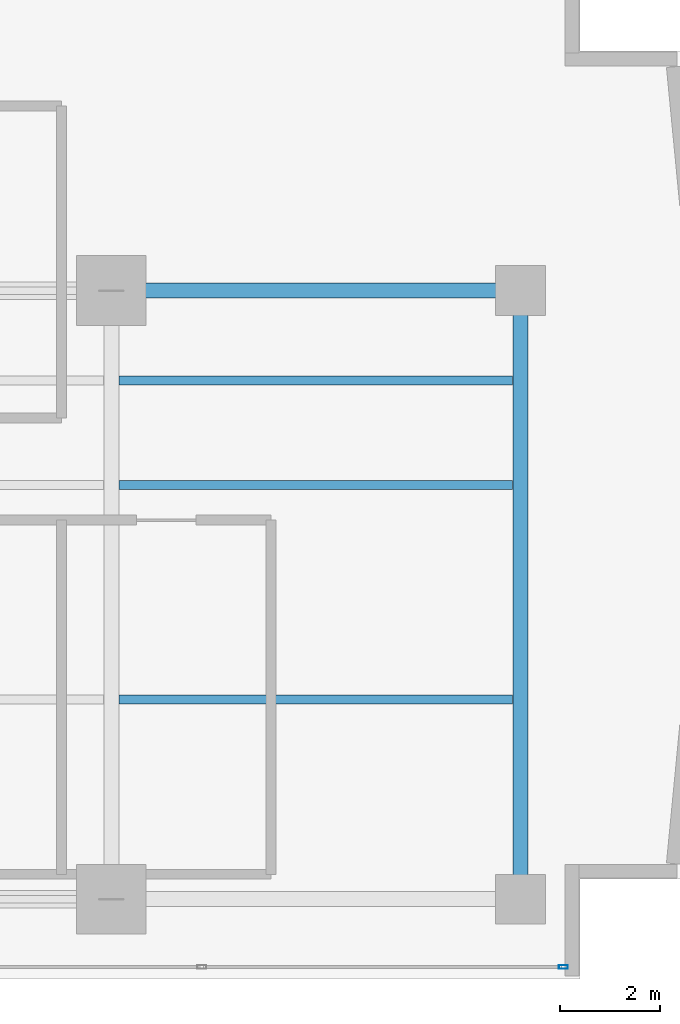
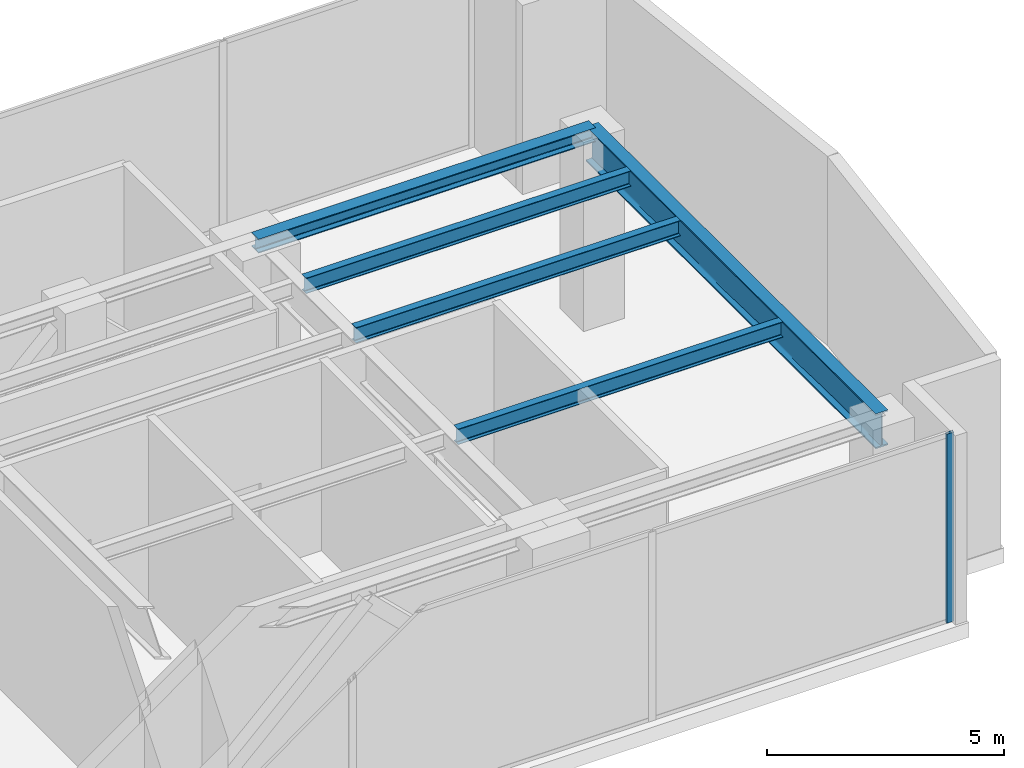
# One storey, part 17 of 37: 5 beams, 1 member, 1 element without a shape of its own.
"""IFC4 building model written with IfcOpenShell, lengths in metres."""

import ifcopenshell
import ifcopenshell.guid

model = None  # the IFC model being written
_history = None  # IfcOwnerHistory: only IFC2X3 demands one
_inside = {}  # id of a spatial element -> (the spatial element, [elements in it])
_under = {}  # id of a project, library or spatial element -> (it, [spatial elements below it])
_declared = {}  # id of a project -> (the project, [libraries it declares])
_typed = {}  # id of a type object -> (the type object, [elements of that type])
_made_of = {}  # id of a material, layer set ... -> (it, [elements and type objects made of it])


def new_model(schema):
    """Start an empty IFC model of exactly this schema.

    Asked for "IFC4X3", IfcOpenShell would pick the latest addendum, in which some entities
    have other attributes; the version numbers below select the first issue.
    IFC2X3 requires an IfcOwnerHistory on every rooted entity: one is made here for all.
    """
    global model, _history
    if schema == "IFC4X3":
        model = ifcopenshell.file(schema_version=(4, 3, 0, 0))
    else:
        model = ifcopenshell.file(schema=schema)
    _inside.clear()
    _under.clear()
    _declared.clear()
    _typed.clear()
    _made_of.clear()
    _history = None
    if model.schema == "IFC2X3":
        org = make("IfcOrganization", Name="unknown")
        user = make(
            "IfcPersonAndOrganization",
            ThePerson=make("IfcPerson", FamilyName="unknown"),
            TheOrganization=org,
        )
        app = make(
            "IfcApplication",
            ApplicationDeveloper=org,
            Version="unknown",
            ApplicationFullName="unknown",
            ApplicationIdentifier="unknown",
        )
        _history = make(
            "IfcOwnerHistory",
            OwningUser=user,
            OwningApplication=app,
            ChangeAction="ADDED",
            CreationDate=0,
        )
    return model


def make(cls, **values):
    """One entity of the class cls with the attributes given. An attribute that is None is left unset."""
    return model.create_entity(
        cls, **{name: value for name, value in values.items() if value is not None}
    )


def rooted(cls, **values):
    """An entity with a GlobalId (a new one), such as an element, a storey or a relation."""
    return make(cls, GlobalId=ifcopenshell.guid.new(), OwnerHistory=_history, **values)


def si_unit(unit_type, name, prefix=None):
    """IfcSIUnit, for example si_unit("LENGTHUNIT", "METRE", prefix="MILLI")."""
    return make("IfcSIUnit", UnitType=unit_type, Prefix=prefix, Name=name)


def assignment(units):
    """IfcUnitAssignment: the units of a project."""
    return None if units is None else make("IfcUnitAssignment", Units=units)


def point(xyz):
    """IfcCartesianPoint."""
    return None if xyz is None else make("IfcCartesianPoint", Coordinates=xyz)


def direction(xyz):
    """IfcDirection."""
    return None if xyz is None else make("IfcDirection", DirectionRatios=xyz)


def frame(location, z_axis=None, x_axis=None):
    """IfcAxis2Placement3D, a coordinate frame: its origin and axes. An axis left out is left unset."""
    return make(
        "IfcAxis2Placement3D",
        Location=point(location),
        Axis=direction(z_axis),
        RefDirection=direction(x_axis),
    )


def frame_2d(location, x_axis=None):
    """IfcAxis2Placement2D, a coordinate frame in the plane: its origin and x axis."""
    return make(
        "IfcAxis2Placement2D", Location=point(location), RefDirection=direction(x_axis)
    )


def origin():
    """The frame at (0, 0, 0) with its axes left unset."""
    return frame((0.0, 0.0, 0.0))


def origin_with_axes():
    """The frame at (0, 0, 0) with the z axis (0, 0, 1) and the x axis (1, 0, 0) written out."""
    return frame((0.0, 0.0, 0.0), z_axis=(0.0, 0.0, 1.0), x_axis=(1.0, 0.0, 0.0))


def origin_2d():
    """The frame at (0, 0) in the plane with its x axis left unset."""
    return frame_2d((0.0, 0.0))


def place(relative_to, where):
    """IfcLocalPlacement: puts the frame where relative to a parent placement (None: the world)."""
    return make(
        "IfcLocalPlacement", PlacementRelTo=relative_to, RelativePlacement=where
    )


def context(
    kind, dimensions, precision=None, world=None, true_north=None, identifier=None
):
    """IfcGeometricRepresentationContext, for example the 3D "Model" context."""
    return make(
        "IfcGeometricRepresentationContext",
        ContextIdentifier=identifier,
        ContextType=kind,
        CoordinateSpaceDimension=dimensions,
        Precision=precision,
        WorldCoordinateSystem=world,
        TrueNorth=true_north,
    )


def subcontext(parent, identifier, kind, view, scale=None):
    """IfcGeometricRepresentationSubContext, for example "Body" below "Model"."""
    return make(
        "IfcGeometricRepresentationSubContext",
        ContextIdentifier=identifier,
        ContextType=kind,
        ParentContext=parent,
        TargetScale=scale,
        TargetView=view,
    )


def project(units=None, contexts=None):
    """IfcProject with its units and contexts."""
    return rooted(
        "IfcProject",
        Name="project",
        RepresentationContexts=contexts,
        UnitsInContext=assignment(units),
    )


def spatial(cls, under=None, at=None, **own):
    """A site, building, storey or space (cls), placed at a placement, below another one or the project."""
    s = rooted(cls, ObjectPlacement=at, **own)
    if under is not None:
        _under.setdefault(under.id(), (under, []))[1].append(s)
    return s


def profile(cls, at=None, kind="AREA", **sizes):
    """A parametric profile (cls). Its sizes go by their IFC names, for example OverallWidth=200.0."""
    return make(cls, ProfileType=kind, Position=at, **sizes)


def hollow_rectangle(**sizes):
    """IfcRectangleHollowProfileDef."""
    return profile("IfcRectangleHollowProfileDef", **sizes)


def i_section(**sizes):
    """IfcIShapeProfileDef."""
    return profile("IfcIShapeProfileDef", **sizes)


def extrude(swept, where, along, depth):
    """IfcExtrudedAreaSolid: the profile swept, set in the frame where, extruded along a direction by depth."""
    return make(
        "IfcExtrudedAreaSolid",
        SweptArea=swept,
        Position=where,
        ExtrudedDirection=direction(along),
        Depth=depth,
    )


def shape(context_of_items, identifier, shape_type, items):
    """IfcShapeRepresentation: the items that make up one representation, for example the "Body"."""
    return make(
        "IfcShapeRepresentation",
        ContextOfItems=context_of_items,
        RepresentationIdentifier=identifier,
        RepresentationType=shape_type,
        Items=items,
    )


def source(mapping_origin, context_of_items, identifier, shape_type, items):
    """IfcRepresentationMap: a shape defined once, which mapped items show again and again."""
    return make(
        "IfcRepresentationMap",
        MappingOrigin=mapping_origin,
        MappedRepresentation=shape(context_of_items, identifier, shape_type, items),
    )


def transform(
    local_origin,
    x_axis=None,
    y_axis=None,
    z_axis=None,
    scale=None,
    scale2=None,
    scale3=None,
    uniform=True,
):
    """IfcCartesianTransformationOperator3D, or its non-uniform kind. x_axis, y_axis, z_axis: its Axis1, 2, 3."""
    if uniform:
        return make(
            "IfcCartesianTransformationOperator3D",
            Axis1=direction(x_axis),
            Axis2=direction(y_axis),
            LocalOrigin=point(local_origin),
            Scale=scale,
            Axis3=direction(z_axis),
        )
    return make(
        "IfcCartesianTransformationOperator3DnonUniform",
        Axis1=direction(x_axis),
        Axis2=direction(y_axis),
        LocalOrigin=point(local_origin),
        Scale=scale,
        Axis3=direction(z_axis),
        Scale2=scale2,
        Scale3=scale3,
    )


def mapped(mapping_source, mapping_target):
    """IfcMappedItem: shows the shape of a source again, moved by a transform."""
    return make(
        "IfcMappedItem", MappingSource=mapping_source, MappingTarget=mapping_target
    )


def material(Name=None, Category=None):
    """IfcMaterial."""
    return make("IfcMaterial", Name=Name, Category=Category)


def layer(
    of_material, thickness, ventilated=None, Name=None, Category=None, Priority=None
):
    """IfcMaterialLayer: one layer of a wall or slab, of a material (None: an air gap)."""
    return make(
        "IfcMaterialLayer",
        Material=of_material,
        LayerThickness=thickness,
        IsVentilated=ventilated,
        Name=Name,
        Category=Category,
        Priority=Priority,
    )


def layer_set(layers, Name=None):
    """IfcMaterialLayerSet."""
    return make("IfcMaterialLayerSet", MaterialLayers=layers, LayerSetName=Name)


def material_profile(
    of_material, cross_section, Name=None, Category=None, Priority=None
):
    """IfcMaterialProfile: a cross section and its material."""
    return make(
        "IfcMaterialProfile",
        Name=Name,
        Material=of_material,
        Profile=cross_section,
        Priority=Priority,
        Category=Category,
    )


def profile_set(profiles, Name=None, composite=None):
    """IfcMaterialProfileSet."""
    return make(
        "IfcMaterialProfileSet",
        Name=Name,
        MaterialProfiles=profiles,
        CompositeProfile=composite,
    )


def made_of(thing, what):
    """Note that an element or type object is made of a material, layer set ...; save() writes the relation."""
    if what is not None:
        _made_of.setdefault(what.id(), (what, []))[1].append(thing)
    return thing


def type_object(cls, material=None, **own):
    """A type object (cls), such as IfcWallType, which elements share."""
    return made_of(rooted(cls, **own), material)


def element(
    cls,
    number,
    at=None,
    inside=None,
    cuts=None,
    type_object=None,
    material=None,
    context=None,
    identifier="Body",
    shape_type=None,
    held_by="IfcProductDefinitionShape",
    body=None,
    shapes=None,
    **own,
):
    """One element of the class cls, such as IfcWall. Its Tag is "e" and its number.

    at: its placement. inside: the storey or other place that contains it. cuts: it is an
    opening in that element (IfcRelVoidsElement). A single representation is given by context,
    identifier, shape_type and body (its items); several are given by shapes. held_by: the class
    of the entity that holds the representations. save() writes the other relations.
    """
    e = rooted(cls, Tag="e%d" % number, ObjectPlacement=at, **own)
    if body is not None:
        shapes = [shape(context, identifier, shape_type, body)]
    if shapes is not None:
        e.Representation = make(held_by, Representations=shapes)
    if inside is not None:
        _inside.setdefault(inside.id(), (inside, []))[1].append(e)
    if cuts is not None:
        rooted(
            "IfcRelVoidsElement", RelatingBuildingElement=cuts, RelatedOpeningElement=e
        )
    if type_object is not None:
        _typed.setdefault(type_object.id(), (type_object, []))[1].append(e)
    return made_of(e, material)


def aggregate(whole, parts):
    """IfcRelAggregates: a whole, such as a stair, and the parts it consists of."""
    return rooted("IfcRelAggregates", RelatingObject=whole, RelatedObjects=parts)


def save(model, path):
    """Write the relations noted so far, then the file.

    IfcRelAggregates (storeys below a building ...), IfcRelContainedInSpatialStructure (elements
    in a storey), IfcRelDefinesByType, IfcRelAssociatesMaterial and IfcRelDeclares: one each for
    every whole, place, type object, material and project.
    """
    for whole, parts in _under.values():
        aggregate(whole, parts)
    for where, things in _inside.values():
        rooted(
            "IfcRelContainedInSpatialStructure",
            RelatedElements=things,
            RelatingStructure=where,
        )
    for kind, things in _typed.values():
        rooted("IfcRelDefinesByType", RelatedObjects=things, RelatingType=kind)
    for what, things in _made_of.values():
        rooted("IfcRelAssociatesMaterial", RelatedObjects=things, RelatingMaterial=what)
    for by, libraries in _declared.values():
        rooted("IfcRelDeclares", RelatingContext=by, RelatedDefinitions=libraries)
    model.write(path)


model = new_model("IFC4")

# Units and contexts
model_context = context("Model", 3, precision=1e-05, world=origin(), true_north=direction((0.0, 1.0)))
body_context = subcontext(model_context, "Body", "Model", "MODEL_VIEW")
ifc_project = project(units=[si_unit("LENGTHUNIT", "METRE"), si_unit("AREAUNIT", "SQUARE_METRE"), si_unit("VOLUMEUNIT", "CUBIC_METRE"), si_unit("PLANEANGLEUNIT", "RADIAN"), si_unit("MASSUNIT", "GRAM", prefix="KILO")], contexts=[model_context])

# Site, building, storey
site_placement = place(None, origin())
site = spatial("IfcSite", under=ifc_project, at=site_placement, CompositionType="ELEMENT")
building_placement = place(site_placement, origin())
building = spatial("IfcBuilding", under=site, at=building_placement, Name="Kolvaren Waterfront Exchange", CompositionType="ELEMENT")
storey_placement = place(building_placement, frame((0.0, 0.0, 141.10009765625)))
storey = spatial("IfcBuildingStorey", under=building, at=storey_placement, Name="L36", CompositionType="ELEMENT", Elevation=141.10009765625)

# Beams
ifc_material_1 = material(Name="Steel S355", Category="steel")
ifc_material_profile_1 = material_profile(ifc_material_1, i_section(OverallWidth=0.300048828125, OverallDepth=0.360107421875, WebThickness=0.012451171875, FlangeThickness=0.0224609375, FilletRadius=0.027099609375, at=origin_2d()), Name="HEB360")
ifc_profile_set_1 = profile_set([ifc_material_profile_1], Name="Steel S355")
beam_type_1 = type_object("IfcBeamType", Name="STR-BM-HEB360", PredefinedType="SPANDREL", material=ifc_profile_set_1)
beam_1_placement = place(storey_placement, frame((45.60009765625, 17.39990234375, 4.679931640625), z_axis=(1.0, 0.0, 0.0), x_axis=(0.0, 1.0, 0.0)))
element("IfcBeam", 1, at=beam_1_placement, inside=storey, type_object=beam_type_1, Name="L36 east-arm spandrel N4", PredefinedType="SPANDREL", context=body_context, shape_type="SweptSolid", body=[
    extrude(i_section(OverallWidth=0.300048828125, OverallDepth=0.360107421875, WebThickness=0.012451171875, FlangeThickness=0.0224609375, FilletRadius=0.027099609375, at=origin_2d()), origin(), (0.0, 0.0, 1.0), 8.199951171875),
])
ifc_material_profile_2 = material_profile(ifc_material_1, i_section(OverallWidth=0.300048828125, OverallDepth=0.89990234375, WebThickness=0.0185546875, FlangeThickness=0.034912109375, FilletRadius=0.030029296875, at=origin_2d()), Name="HEB900")
ifc_profile_set_2 = profile_set([ifc_material_profile_2], Name="Steel S355")
beam_type_2 = type_object("IfcBeamType", Name="STR-BM-HEB900", PredefinedType="BEAM", material=ifc_profile_set_2)
beam_2_placement = place(storey_placement, frame((53.800048828125, 5.199951171875, 4.409912109375), z_axis=(0.0, 1.0, 0.0), x_axis=(-1.0, 0.0, 0.0)))
element("IfcBeam", 2, at=beam_2_placement, inside=storey, type_object=beam_type_2, Name="L36 east-arm transverse girder X53", PredefinedType="BEAM", context=body_context, shape_type="SweptSolid", body=[
    extrude(i_section(OverallWidth=0.300048828125, OverallDepth=0.89990234375, WebThickness=0.0185546875, FlangeThickness=0.034912109375, FilletRadius=0.030029296875, at=origin_2d()), origin(), (0.0, 0.0, 1.0), 12.199951171875),
])
ifc_material_profile_3 = material_profile(ifc_material_1, i_section(OverallWidth=0.179931640625, OverallDepth=0.39990234375, WebThickness=0.008544921875, FlangeThickness=0.013427734375, FilletRadius=0.02099609375, at=origin_2d()), Name="IPE400")
ifc_profile_set_3 = profile_set([ifc_material_profile_3], Name="Steel S355")
beam_type_3 = type_object("IfcBeamType", Name="STR-BM-IPE400", PredefinedType="JOIST", material=ifc_profile_set_3)
for number, where, z_axis, x_axis, name in (
    (3, (45.751953125, 13.5, 4.659912109375), (1.0, 0.0, 0.0), (0.0, 1.0, 0.0), "L36 east-arm composite joist 4A"),
    (4, (45.751953125, 15.60009765625, 4.659912109375), (1.0, 0.0, 0.0), (0.0, 1.0, 0.0), "L36 east-arm composite joist 4C"),
    (5, (45.751953125, 9.199951171875, 4.659912109375), (1.0, 0.0, 0.0), (0.0, 1.0, 0.0), "L36 east-arm composite joist 4B"),
):
    element("IfcBeam", number, at=place(storey_placement, frame(where, z_axis=z_axis, x_axis=x_axis)), inside=storey, type_object=beam_type_3, Name=name, PredefinedType="JOIST", context=body_context, shape_type="SweptSolid", body=[
        extrude(i_section(OverallWidth=0.179931640625, OverallDepth=0.39990234375, WebThickness=0.008544921875, FlangeThickness=0.013427734375, FilletRadius=0.02099609375, at=origin_2d()), origin(), (0.0, 0.0, 1.0), 7.89599609375),
    ])

# Curtain wall, member
ifc_material_2 = material(Name="Anodised dark bronze spandrel aluminium", Category="aluminium")
ifc_layer = layer(ifc_material_2, 0.219970703125, Name="Anodised dark bronze spandrel aluminium")
ifc_layer_set = layer_set([ifc_layer], Name="Anodised dark bronze spandrel aluminium")
curtain_wall_type = type_object("IfcCurtainWallType", Name="ARC-CW-SYS6", PredefinedType="USERDEFINED", material=ifc_layer_set)
curtain_wall_placement = place(storey_placement, origin())
curtain_wall = element("IfcCurtainWall", 6, at=curtain_wall_placement, inside=storey, type_object=curtain_wall_type, Name="L36 stick curtain wall CW6 (CW-L36-S)", ObjectType="STICK CURTAIN WALL", PredefinedType="USERDEFINED")
ifc_material_3 = material(Name="Anodised bronze aluminium 6063-T6", Category="aluminium")
ifc_material_profile_4 = material_profile(ifc_material_3, hollow_rectangle(XDim=0.074951171875, YDim=0.179931640625, WallThickness=0.00439453125, at=origin_2d()), Name="ALU-MUL-180x75x4.5")
ifc_profile_set_4 = profile_set([ifc_material_profile_4], Name="Anodised bronze aluminium 6063-T6")
member_type = type_object("IfcMemberType", Name="ARC-CWM-180", PredefinedType="MULLION", material=ifc_profile_set_4)
shared_shape = source(origin_with_axes(), body_context, "Body", "SweptSolid", [
    extrude(hollow_rectangle(XDim=0.074951171875, YDim=0.179931640625, WallThickness=0.00439453125, at=origin_2d()), origin(), (0.0, 0.0, 1.0), 4.85986328125),
])
member_placement = place(storey_placement, frame((54.66259765625, 3.840087890625, 0.0), z_axis=(0.0, 0.0, 1.0), x_axis=(0.0, 1.0, 0.0)))
member = element("IfcMember", 7, at=member_placement, type_object=member_type, Name="CW6 mullion 8", PredefinedType="MULLION", context=body_context, shape_type="MappedRepresentation", body=[
    mapped(shared_shape, transform((0.0, 0.0, 0.0), x_axis=(1.0, 0.0, 0.0), y_axis=(0.0, 1.0, 0.0), z_axis=(0.0, 0.0, 1.0), scale=1.0)),
])
aggregate(curtain_wall, [member])

save(model, "model.ifc")
